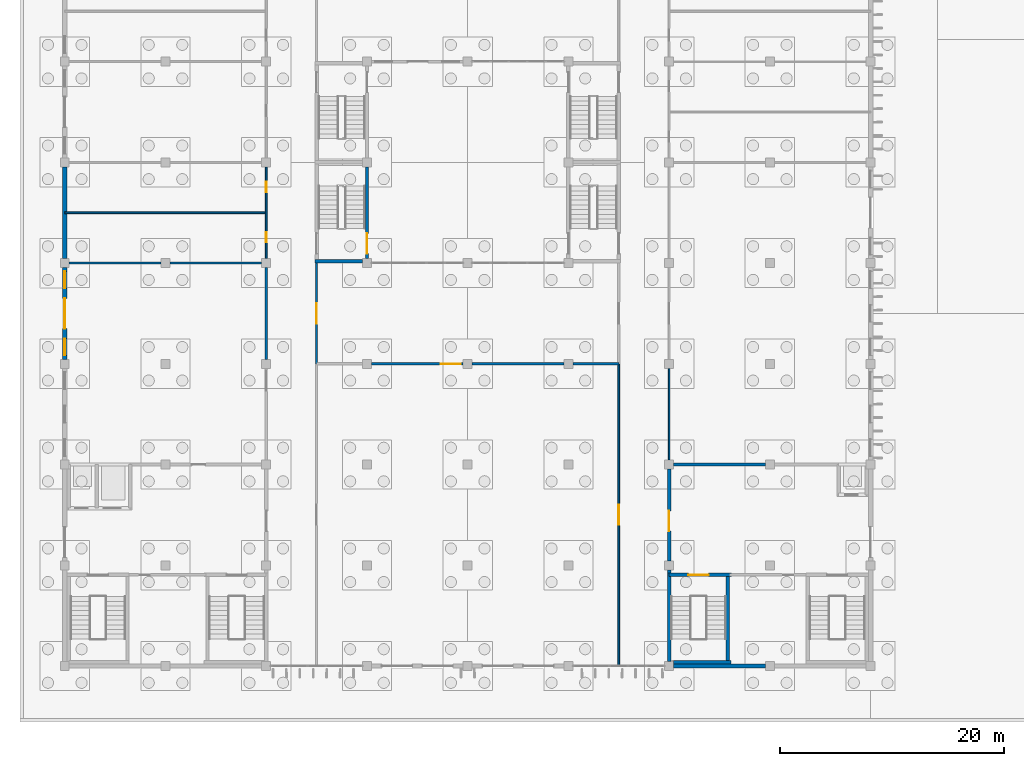
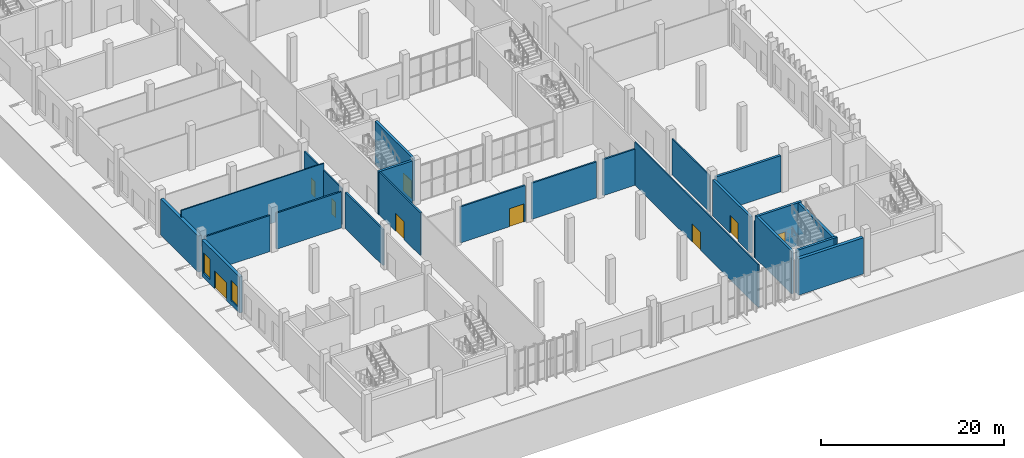
# One storey, part 78 of 198: 23 walls, 9 doors, 2 windows, 11 openings.
"""IFC4 building model written with IfcOpenShell, lengths in metres."""

from ifc_helpers import new_model, si_unit, direction, frame, frame_2d, origin, place, context, subcontext, project, spatial, rectangle, extrude, material, layer, layer_set, type_object, element, fill, save


model = new_model("IFC4")

# Units and contexts
model_context = context("Model", 3, precision=1e-05, world=origin(), true_north=direction((0.0, 1.0)))
body_context = subcontext(model_context, "Body", "Model", "MODEL_VIEW")
ifc_project = project(units=[si_unit("LENGTHUNIT", "METRE"), si_unit("AREAUNIT", "SQUARE_METRE"), si_unit("VOLUMEUNIT", "CUBIC_METRE"), si_unit("PLANEANGLEUNIT", "RADIAN"), si_unit("MASSUNIT", "GRAM", prefix="KILO")], contexts=[model_context])

# Site, building, storey
site_placement = place(None, origin())
site = spatial("IfcSite", under=ifc_project, at=site_placement, CompositionType="ELEMENT")
building_placement = place(site_placement, origin())
building = spatial("IfcBuilding", under=site, at=building_placement, Name="Opaline Strait Convention Centre", CompositionType="ELEMENT")
storey_placement = place(building_placement, origin())
storey = spatial("IfcBuildingStorey", under=building, at=storey_placement, Name="L00", CompositionType="ELEMENT", Elevation=0.0)

# Wall, opening, door
ifc_material_1 = material(Name="Gypsum board on metal studs with mineral wool")
ifc_layer_1 = layer(ifc_material_1, 0.199951171875)
ifc_layer_set_1 = layer_set([ifc_layer_1], Name="Gypsum board on metal studs with mineral wool")
wall_type_1 = type_object("IfcWallType", Name="Fire partition 200", PredefinedType="PARTITIONING", material=ifc_layer_set_1)
wall_1_placement = place(storey_placement, frame((36.39990234375, 36.0, 0.0), z_axis=(0.0, 0.0, 1.0), x_axis=(1.0, 0.0, 0.0)))
wall_1 = element("IfcWall", 1, at=wall_1_placement, inside=storey, type_object=wall_type_1, Name="L00 partition", PredefinedType="PARTITIONING", context=body_context, shape_type="SweptSolid", body=[
    extrude(rectangle(XDim=8.2001953125, YDim=0.199951171875, at=frame_2d((4.10009765625, 0.0))), origin(), (0.0, 0.0, 1.0), 4.820068359375),
])
opening_1_placement = place(wall_1_placement, frame((6.199951171875, 0.0, 0.0)))
opening_1 = element("IfcOpeningElement", 2, at=opening_1_placement, cuts=wall_1, Name="Opening R0-035", PredefinedType="OPENING", context=body_context, shape_type="SweptSolid", body=[
    extrude(rectangle(XDim=1.800048828125, YDim=2.39990234375, at=frame_2d((0.89990234375, 1.199951171875))), frame((0.0, 0.10986328125, 0.0), z_axis=(0.0, -1.0, 0.0), x_axis=(1.0, 0.0, 0.0)), (0.0, 0.0, 1.0), 0.219970703125),
])
ifc_material_2 = material(Name="Stainless steel 304 door leaves", Category="steel")
door_type_1 = type_object("IfcDoorType", Name="Kitchen door 1800x2400 double FD90", OperationType="DOUBLE_DOOR_SINGLE_SWING", PredefinedType="DOOR", material=ifc_material_2)
door_1_placement = place(opening_1_placement, origin())
door_1 = element("IfcDoor", 3, at=door_1_placement, inside=storey, type_object=door_type_1, Name="Open Kitchen to Restaurant Hall door R0-035", ObjectType="RD4", OperationType="DOUBLE_DOOR_SINGLE_SWING", OverallHeight=2.39990234375, OverallWidth=1.800048828125, PredefinedType="DOOR", context=body_context, shape_type="SweptSolid", body=[
    extrude(rectangle(XDim=1.800048828125, YDim=2.39990234375, at=frame_2d((0.89990234375, 1.199951171875))), frame((0.0, 0.02490234375, 0.0), z_axis=(0.0, -1.0, 0.0), x_axis=(1.0, 0.0, 0.0)), (0.0, 0.0, 1.0), 0.050048828125),
])
fill(opening_1, door_1)

# Walls
wall_2_placement = place(storey_placement, frame((45.39990234375, 36.0, 0.0), z_axis=(0.0, 0.0, 1.0), x_axis=(1.0, 0.0, 0.0)))
element("IfcWall", 4, at=wall_2_placement, inside=storey, type_object=wall_type_1, Name="L00 partition", PredefinedType="PARTITIONING", context=body_context, shape_type="SweptSolid", body=[
    extrude(rectangle(XDim=8.2001953125, YDim=0.199951171875, at=frame_2d((4.10009765625, 0.0))), origin(), (0.0, 0.0, 1.0), 4.820068359375),
])
wall_3_placement = place(storey_placement, frame((54.39990234375, 36.0, 0.0), z_axis=(0.0, 0.0, 1.0), x_axis=(1.0, 0.0, 0.0)))
element("IfcWall", 5, at=wall_3_placement, inside=storey, type_object=wall_type_1, Name="L00 partition", PredefinedType="PARTITIONING", context=body_context, shape_type="SweptSolid", body=[
    extrude(rectangle(XDim=4.10009765625, YDim=0.199951171875, at=frame_2d((2.050048828125, 0.0))), origin(), (0.0, 0.0, 1.0), 4.820068359375),
])
for number, where, z_axis, x_axis, name in (
    (6, (9.39990234375, 45.0, 0.0), (0.0, 0.0, 1.0), (1.0, 0.0, 0.0), "L00 partition"),
    (7, (18.39990234375, 45.0, 0.0), (0.0, 0.0, 1.0), (1.0, 0.0, 0.0), "L00 partition"),
    (8, (27.0, 36.39990234375, 0.0), (0.0, 0.0, 1.0), (0.0, 1.0, 0.0), "L00 partition"),
):
    element("IfcWall", number, at=place(storey_placement, frame(where, z_axis=z_axis, x_axis=x_axis)), inside=storey, type_object=wall_type_1, Name=name, PredefinedType="PARTITIONING", context=body_context, shape_type="SweptSolid", body=[
        extrude(rectangle(XDim=8.2001953125, YDim=0.199951171875, at=frame_2d((4.10009765625, 0.0))), origin(), (0.0, 0.0, 1.0), 4.820068359375),
    ])

# Wall, opening, door
wall_4_placement = place(storey_placement, frame((31.5, 36.0, 0.0), z_axis=(0.0, 0.0, 1.0), x_axis=(0.0, 1.0, 0.0)))
wall_4 = element("IfcWall", 9, at=wall_4_placement, inside=storey, type_object=wall_type_1, Name="L00 partition", PredefinedType="PARTITIONING", context=body_context, shape_type="SweptSolid", body=[
    extrude(rectangle(XDim=9.0, YDim=0.199951171875, at=frame_2d((4.5, 0.0))), origin(), (0.0, 0.0, 1.0), 5.719970703125),
])
opening_2_placement = place(wall_4_placement, frame((3.60009765625, 0.0, 0.0)))
opening_2 = element("IfcOpeningElement", 10, at=opening_2_placement, cuts=wall_4, Name="Opening R0-033", PredefinedType="OPENING", context=body_context, shape_type="SweptSolid", body=[
    extrude(rectangle(XDim=1.800048828125, YDim=2.39990234375, at=frame_2d((0.89990234375, 1.199951171875))), frame((0.0, 0.10986328125, 0.0), z_axis=(0.0, -1.0, 0.0), x_axis=(1.0, 0.0, 0.0)), (0.0, 0.0, 1.0), 0.219970703125),
])
door_2_placement = place(opening_2_placement, origin())
door_2 = element("IfcDoor", 11, at=door_2_placement, inside=storey, type_object=door_type_1, Name="Open Kitchen door R0-033", ObjectType="RD4", OperationType="DOUBLE_DOOR_SINGLE_SWING", OverallHeight=2.39990234375, OverallWidth=1.800048828125, PredefinedType="DOOR", context=body_context, shape_type="SweptSolid", body=[
    extrude(rectangle(XDim=1.800048828125, YDim=2.39990234375, at=frame_2d((0.89990234375, 1.199951171875))), frame((0.0, 0.02490234375, 0.0), z_axis=(0.0, -1.0, 0.0), x_axis=(1.0, 0.0, 0.0)), (0.0, 0.0, 1.0), 0.050048828125),
])
fill(opening_2, door_2)

# Wall
ifc_layer_2 = layer(ifc_material_1, 0.14990234375)
ifc_layer_set_2 = layer_set([ifc_layer_2], Name="Gypsum board on metal studs with mineral wool")
wall_type_2 = type_object("IfcWallType", Name="Partition 150", PredefinedType="PARTITIONING", material=ifc_layer_set_2)
wall_5_placement = place(storey_placement, frame((9.0, 49.5, 0.0), z_axis=(0.0, 0.0, 1.0), x_axis=(1.0, 0.0, 0.0)))
element("IfcWall", 12, at=wall_5_placement, inside=storey, type_object=wall_type_2, Name="L00 partition", PredefinedType="PARTITIONING", context=body_context, shape_type="SweptSolid", body=[
    extrude(rectangle(XDim=18.0, YDim=0.14990234375, at=frame_2d((9.0, 0.0))), origin(), (0.0, 0.0, 1.0), 5.719970703125),
])

# Wall, openings, doors
wall_6_placement = place(storey_placement, frame((27.0, 45.39990234375, 0.0), z_axis=(0.0, 0.0, 1.0), x_axis=(0.0, 1.0, 0.0)))
wall_6 = element("IfcWall", 13, at=wall_6_placement, inside=storey, type_object=wall_type_2, Name="L00 partition", PredefinedType="PARTITIONING", context=body_context, shape_type="SweptSolid", body=[
    extrude(rectangle(XDim=8.2001953125, YDim=0.14990234375, at=frame_2d((4.10009765625, 0.0))), origin(), (0.0, 0.0, 1.0), 4.820068359375),
])
opening_3_placement = place(wall_6_placement, frame((1.449951171875, 0.0, 0.0)))
opening_3 = element("IfcOpeningElement", 14, at=opening_3_placement, cuts=wall_6, Name="Opening R0-042", PredefinedType="OPENING", context=body_context, shape_type="SweptSolid", body=[
    extrude(rectangle(XDim=0.89990234375, YDim=2.10009765625, at=frame_2d((0.449951171875, 1.050048828125))), frame((0.0, 0.0849609375, 0.0), z_axis=(0.0, -1.0, 0.0), x_axis=(1.0, 0.0, 0.0)), (0.0, 0.0, 1.0), 0.169921875),
])
opening_4_placement = place(wall_6_placement, frame((5.949951171875, 0.0, 0.0)))
opening_4 = element("IfcOpeningElement", 15, at=opening_4_placement, cuts=wall_6, Name="Opening R0-043", PredefinedType="OPENING", context=body_context, shape_type="SweptSolid", body=[
    extrude(rectangle(XDim=0.89990234375, YDim=2.10009765625, at=frame_2d((0.449951171875, 1.050048828125))), frame((0.0, 0.0849609375, 0.0), z_axis=(0.0, -1.0, 0.0), x_axis=(1.0, 0.0, 0.0)), (0.0, 0.0, 1.0), 0.169921875),
])
ifc_material_3 = material(Name="Timber door leaf in steel frame", Category="steel")
door_type_2 = type_object("IfcDoorType", Name="Store door 900x2100 FD30", OperationType="SINGLE_SWING_LEFT", PredefinedType="DOOR", material=ifc_material_3)
door_3_placement = place(opening_3_placement, origin())
door_3 = element("IfcDoor", 16, at=door_3_placement, inside=storey, type_object=door_type_2, Name="Cold Store door R0-042", ObjectType="RD5", OperationType="SINGLE_SWING_LEFT", OverallHeight=2.10009765625, OverallWidth=0.89990234375, PredefinedType="DOOR", context=body_context, shape_type="SweptSolid", body=[
    extrude(rectangle(XDim=0.89990234375, YDim=2.10009765625, at=frame_2d((0.449951171875, 1.050048828125))), frame((0.0, 0.02490234375, 0.0), z_axis=(0.0, -1.0, 0.0), x_axis=(1.0, 0.0, 0.0)), (0.0, 0.0, 1.0), 0.050048828125),
])
fill(opening_3, door_3)
door_4_placement = place(opening_4_placement, origin())
door_4 = element("IfcDoor", 17, at=door_4_placement, inside=storey, type_object=door_type_2, Name="Dry Store door R0-043", ObjectType="RD5", OperationType="SINGLE_SWING_LEFT", OverallHeight=2.10009765625, OverallWidth=0.89990234375, PredefinedType="DOOR", context=body_context, shape_type="SweptSolid", body=[
    extrude(rectangle(XDim=0.89990234375, YDim=2.10009765625, at=frame_2d((0.449951171875, 1.050048828125))), frame((0.0, 0.02490234375, 0.0), z_axis=(0.0, -1.0, 0.0), x_axis=(1.0, 0.0, 0.0)), (0.0, 0.0, 1.0), 0.050048828125),
])
fill(opening_4, door_4)

# Wall, opening, door
wall_7_placement = place(storey_placement, frame((58.5, 9.0, 0.0), z_axis=(0.0, 0.0, 1.0), x_axis=(0.0, 1.0, 0.0)))
wall_7 = element("IfcWall", 18, at=wall_7_placement, inside=storey, type_object=wall_type_2, Name="L00 partition", PredefinedType="PARTITIONING", context=body_context, shape_type="SweptSolid", body=[
    extrude(rectangle(XDim=27.0, YDim=0.14990234375, at=frame_2d((13.5, 0.0))), origin(), (0.0, 0.0, 1.0), 5.719970703125),
])
opening_5_placement = place(wall_7_placement, frame((12.60009765625, 0.0, 0.0)))
opening_5 = element("IfcOpeningElement", 19, at=opening_5_placement, cuts=wall_7, Name="Opening R0-032", PredefinedType="OPENING", context=body_context, shape_type="SweptSolid", body=[
    extrude(rectangle(XDim=1.800048828125, YDim=2.39990234375, at=frame_2d((0.89990234375, 1.199951171875))), frame((0.0, 0.0849609375, 0.0), z_axis=(0.0, -1.0, 0.0), x_axis=(1.0, 0.0, 0.0)), (0.0, 0.0, 1.0), 0.169921875),
])
ifc_material_4 = material(Name="Timber door leaves in steel frame", Category="steel")
door_type_3 = type_object("IfcDoorType", Name="Door 1800x2400 double FD30", OperationType="DOUBLE_DOOR_SINGLE_SWING", PredefinedType="DOOR", material=ifc_material_4)
door_5_placement = place(opening_5_placement, frame((1.800048828125, 0.0, 0.0), z_axis=(0.0, 0.0, 1.0), x_axis=(-1.0, 0.0, 0.0)))
door_5 = element("IfcDoor", 20, at=door_5_placement, inside=storey, type_object=door_type_3, Name="Restaurant Hall door R0-032", ObjectType="RD2", OperationType="DOUBLE_DOOR_SINGLE_SWING", OverallHeight=2.39990234375, OverallWidth=1.800048828125, PredefinedType="DOOR", context=body_context, shape_type="SweptSolid", body=[
    extrude(rectangle(XDim=1.800048828125, YDim=2.39990234375, at=frame_2d((0.89990234375, 1.199951171875))), frame((0.0, 0.02490234375, 0.0), z_axis=(0.0, -1.0, 0.0), x_axis=(1.0, 0.0, 0.0)), (0.0, 0.0, 1.0), 0.050048828125),
])
fill(opening_5, door_5)

# Walls
wall_8_placement = place(storey_placement, frame((63.0, 27.39990234375, 0.0), z_axis=(0.0, 0.0, 1.0), x_axis=(0.0, 1.0, 0.0)))
element("IfcWall", 21, at=wall_8_placement, inside=storey, type_object=wall_type_2, Name="L00 partition", PredefinedType="PARTITIONING", context=body_context, shape_type="SweptSolid", body=[
    extrude(rectangle(XDim=8.2001953125, YDim=0.14990234375, at=frame_2d((4.10009765625, 0.0))), origin(), (0.0, 0.0, 1.0), 4.820068359375),
])
ifc_material_5 = material(Name="Concrete C40", Category="concrete")
ifc_layer_3 = layer(ifc_material_5, 0.300048828125)
ifc_layer_set_3 = layer_set([ifc_layer_3], Name="Concrete C40")
wall_type_3 = type_object("IfcWallType", Name="RC wall 300 C40", PredefinedType="SOLIDWALL", material=ifc_layer_set_3)
wall_9_placement = place(storey_placement, frame((68.550048828125, 9.35009765625, 0.0), z_axis=(0.0, 0.0, 1.0), x_axis=(-1.0, 0.0, 0.0)))
element("IfcWall", 22, at=wall_9_placement, inside=storey, type_object=wall_type_3, Name="SE core STB-S wall", PredefinedType="SOLIDWALL", context=body_context, shape_type="SweptSolid", body=[
    extrude(rectangle(XDim=5.150146484375, YDim=0.300048828125, at=frame_2d((2.5751953125, 0.0))), origin(), (0.0, 0.0, 1.0), 5.719970703125),
])

# Wall, opening, door
wall_10_placement = place(storey_placement, frame((68.550048828125, 17.14990234375, 0.0), z_axis=(0.0, 0.0, 1.0), x_axis=(-1.0, 0.0, 0.0)))
wall_10 = element("IfcWall", 23, at=wall_10_placement, inside=storey, type_object=wall_type_3, Name="SE core STB-N wall", PredefinedType="SOLIDWALL", context=body_context, shape_type="SweptSolid", body=[
    extrude(rectangle(XDim=5.550048828125, YDim=0.300048828125, at=frame_2d((2.77490234375, 0.0))), origin(), (0.0, 0.0, 1.0), 5.719970703125),
])
opening_6_placement = place(wall_10_placement, frame((2.02490234375, 0.0, 0.0)))
opening_6 = element("IfcOpeningElement", 24, at=opening_6_placement, cuts=wall_10, Name="Opening R0-008", PredefinedType="OPENING", context=body_context, shape_type="SweptSolid", body=[
    extrude(rectangle(XDim=1.800048828125, YDim=2.39990234375, at=frame_2d((0.89990234375, 1.199951171875))), frame((0.0, 0.159912109375, 0.0), z_axis=(0.0, -1.0, 0.0), x_axis=(1.0, 0.0, 0.0)), (0.0, 0.0, 1.0), 0.320068359375),
])
door_type_4 = type_object("IfcDoorType", Name="Stair door 1800x2400 double FD60", OperationType="DOUBLE_DOOR_SINGLE_SWING", PredefinedType="DOOR", material=ifc_material_4)
door_6_placement = place(opening_6_placement, frame((1.800048828125, 0.0, 0.0), z_axis=(0.0, 0.0, 1.0), x_axis=(-1.0, 0.0, 0.0)))
door_6 = element("IfcDoor", 25, at=door_6_placement, inside=storey, type_object=door_type_4, Name="Stair door SEB R0-008", ObjectType="RD7", OperationType="DOUBLE_DOOR_SINGLE_SWING", OverallHeight=2.39990234375, OverallWidth=1.800048828125, PredefinedType="DOOR", context=body_context, shape_type="SweptSolid", body=[
    extrude(rectangle(XDim=1.800048828125, YDim=2.39990234375, at=frame_2d((0.89990234375, 1.199951171875))), frame((0.0, 0.02490234375, 0.0), z_axis=(0.0, -1.0, 0.0), x_axis=(1.0, 0.0, 0.0)), (0.0, 0.0, 1.0), 0.050048828125),
])
fill(opening_6, door_6)

# Walls
wall_11_placement = place(storey_placement, frame((68.25, 9.199951171875, 0.0), z_axis=(0.0, 0.0, 1.0), x_axis=(0.0, 1.0, 0.0)))
element("IfcWall", 26, at=wall_11_placement, inside=storey, type_object=wall_type_3, Name="SE core STB-W wall", PredefinedType="SOLIDWALL", context=body_context, shape_type="SweptSolid", body=[
    extrude(rectangle(XDim=8.10009765625, YDim=0.300048828125, at=frame_2d((4.050048828125, 0.0))), origin(), (0.0, 0.0, 1.0), 5.719970703125),
])
wall_12_placement = place(storey_placement, frame((63.0, 9.39990234375, 0.0), z_axis=(0.0, 0.0, 1.0), x_axis=(0.0, 1.0, 0.0)))
element("IfcWall", 27, at=wall_12_placement, inside=storey, type_object=wall_type_3, Name="SE core STB-E wall", PredefinedType="SOLIDWALL", context=body_context, shape_type="SweptSolid", body=[
    extrude(rectangle(XDim=7.900146484375, YDim=0.300048828125, at=frame_2d((3.9501953125, 0.0))), origin(), (0.0, 0.0, 1.0), 5.719970703125),
])
wall_13_placement = place(storey_placement, frame((71.60009765625, 27.0, 0.0), z_axis=(0.0, 0.0, 1.0), x_axis=(-1.0, 0.0, 0.0)))
element("IfcWall", 28, at=wall_13_placement, inside=storey, type_object=wall_type_3, Name="SE core BND-N wall", PredefinedType="SOLIDWALL", context=body_context, shape_type="SweptSolid", body=[
    extrude(rectangle(XDim=8.2001953125, YDim=0.300048828125, at=frame_2d((4.10009765625, 0.0))), origin(), (0.0, 0.0, 1.0), 4.820068359375),
])
wall_14_placement = place(storey_placement, frame((63.0, 17.300048828125, 0.0), z_axis=(0.0, 0.0, 1.0), x_axis=(0.0, 1.0, 0.0)))
element("IfcWall", 29, at=wall_14_placement, inside=storey, type_object=wall_type_3, Name="SE core BND-E wall", PredefinedType="SOLIDWALL", context=body_context, shape_type="SweptSolid", body=[
    extrude(rectangle(XDim=0.300048828125, YDim=0.300048828125, at=frame_2d((0.14990234375, 0.0))), origin(), (0.0, 0.0, 1.0), 4.820068359375),
])

# Wall, opening, door
wall_15_placement = place(storey_placement, frame((63.0, 18.39990234375, 0.0), z_axis=(0.0, 0.0, 1.0), x_axis=(0.0, 1.0, 0.0)))
wall_15 = element("IfcWall", 30, at=wall_15_placement, inside=storey, type_object=wall_type_3, Name="SE core BND-E wall", PredefinedType="SOLIDWALL", context=body_context, shape_type="SweptSolid", body=[
    extrude(rectangle(XDim=8.2001953125, YDim=0.300048828125, at=frame_2d((4.10009765625, 0.0))), origin(), (0.0, 0.0, 1.0), 4.820068359375),
])
opening_7_placement = place(wall_15_placement, frame((2.64990234375, 0.0, 0.0)))
opening_7 = element("IfcOpeningElement", 31, at=opening_7_placement, cuts=wall_15, Name="Opening R0-010", PredefinedType="OPENING", context=body_context, shape_type="SweptSolid", body=[
    extrude(rectangle(XDim=1.800048828125, YDim=2.39990234375, at=frame_2d((0.89990234375, 1.199951171875))), frame((0.0, 0.159912109375, 0.0), z_axis=(0.0, -1.0, 0.0), x_axis=(1.0, 0.0, 0.0)), (0.0, 0.0, 1.0), 0.320068359375),
])
door_type_5 = type_object("IfcDoorType", Name="Door 1800x2400 double FD60", OperationType="DOUBLE_DOOR_SINGLE_SWING", PredefinedType="DOOR", material=ifc_material_4)
door_7_placement = place(opening_7_placement, origin())
door_7 = element("IfcDoor", 32, at=door_7_placement, inside=storey, type_object=door_type_5, Name="Core lobby door SE R0-010", ObjectType="RD9", OperationType="DOUBLE_DOOR_SINGLE_SWING", OverallHeight=2.39990234375, OverallWidth=1.800048828125, PredefinedType="DOOR", context=body_context, shape_type="SweptSolid", body=[
    extrude(rectangle(XDim=1.800048828125, YDim=2.39990234375, at=frame_2d((0.89990234375, 1.199951171875))), frame((0.0, 0.02490234375, 0.0), z_axis=(0.0, -1.0, 0.0), x_axis=(1.0, 0.0, 0.0)), (0.0, 0.0, 1.0), 0.050048828125),
])
fill(opening_7, door_7)

wall_16_placement = place(storey_placement, frame((36.0, 45.39990234375, 0.0), z_axis=(0.0, 0.0, 1.0), x_axis=(0.0, 1.0, 0.0)))
wall_16 = element("IfcWall", 33, at=wall_16_placement, inside=storey, type_object=wall_type_3, Name="MW core COURT wall", PredefinedType="SOLIDWALL", context=body_context, shape_type="SweptSolid", body=[
    extrude(rectangle(XDim=8.2001953125, YDim=0.300048828125, at=frame_2d((4.10009765625, 0.0))), origin(), (0.0, 0.0, 1.0), 5.719970703125),
])
opening_8_placement = place(wall_16_placement, frame((0.449951171875, 0.0, 0.0)))
opening_8 = element("IfcOpeningElement", 34, at=opening_8_placement, cuts=wall_16, Name="Opening R0-028", PredefinedType="OPENING", context=body_context, shape_type="SweptSolid", body=[
    extrude(rectangle(XDim=1.800048828125, YDim=2.39990234375, at=frame_2d((0.89990234375, 1.199951171875))), frame((0.0, 0.159912109375, 0.0), z_axis=(0.0, -1.0, 0.0), x_axis=(1.0, 0.0, 0.0)), (0.0, 0.0, 1.0), 0.320068359375),
])
door_8_placement = place(opening_8_placement, frame((1.800048828125, 0.0, 0.0), z_axis=(0.0, 0.0, 1.0), x_axis=(-1.0, 0.0, 0.0)))
door_8 = element("IfcDoor", 35, at=door_8_placement, inside=storey, type_object=door_type_4, Name="Stair exit door MW R0-028", ObjectType="RD7", OperationType="DOUBLE_DOOR_SINGLE_SWING", OverallHeight=2.39990234375, OverallWidth=1.800048828125, PredefinedType="DOOR", context=body_context, shape_type="SweptSolid", body=[
    extrude(rectangle(XDim=1.800048828125, YDim=2.39990234375, at=frame_2d((0.89990234375, 1.199951171875))), frame((0.0, 0.02490234375, 0.0), z_axis=(0.0, -1.0, 0.0), x_axis=(1.0, 0.0, 0.0)), (0.0, 0.0, 1.0), 0.050048828125),
])
fill(opening_8, door_8)

# Walls
wall_17_placement = place(storey_placement, frame((31.35009765625, 45.14990234375, 0.0), z_axis=(0.0, 0.0, 1.0), x_axis=(1.0, 0.0, 0.0)))
element("IfcWall", 36, at=wall_17_placement, inside=storey, type_object=wall_type_3, Name="MW core S wall", PredefinedType="SOLIDWALL", context=body_context, shape_type="SweptSolid", body=[
    extrude(rectangle(XDim=4.25, YDim=0.300048828125, at=frame_2d((2.125, 0.0))), origin(), (0.0, 0.0, 1.0), 5.719970703125),
])
ifc_layer_4 = layer(ifc_material_5, 0.320068359375)
ifc_material_6 = material(Name="Mineral wool insulation")
ifc_layer_5 = layer(ifc_material_6, 0.050048828125)
ifc_material_7 = material(Name="Gypsum board lining")
ifc_layer_6 = layer(ifc_material_7, 0.030029296875)
ifc_layer_set_4 = layer_set([ifc_layer_4, ifc_layer_5, ifc_layer_6], Name="Concrete C40, Mineral wool insulation, Gypsum board lining")
wall_type_4 = type_object("IfcWallType", Name="RC wall 400 C40", PredefinedType="SOLIDWALL", material=ifc_layer_set_4)
wall_18_placement = place(storey_placement, frame((63.39990234375, 9.0, 0.0), z_axis=(0.0, 0.0, 1.0), x_axis=(1.0, 0.0, 0.0)))
element("IfcWall", 37, at=wall_18_placement, inside=storey, type_object=wall_type_4, Name="L00 S external wall 7", PredefinedType="SOLIDWALL", context=body_context, shape_type="SweptSolid", body=[
    extrude(rectangle(XDim=8.2001953125, YDim=0.39990234375, at=frame_2d((4.10009765625, 0.0))), origin(), (0.0, 0.0, 1.0), 4.820068359375),
])

# Wall, openings, door, windows
wall_19_placement = place(storey_placement, frame((9.0, 36.39990234375, 0.0), z_axis=(0.0, 0.0, 1.0), x_axis=(0.0, 1.0, 0.0)))
wall_19 = element("IfcWall", 38, at=wall_19_placement, inside=storey, type_object=wall_type_4, Name="L00 W external wall 4", PredefinedType="SOLIDWALL", context=body_context, shape_type="SweptSolid", body=[
    extrude(rectangle(XDim=8.2001953125, YDim=0.39990234375, at=frame_2d((4.10009765625, 0.0))), origin(), (0.0, 0.0, 1.0), 4.820068359375),
])
opening_9_placement = place(wall_19_placement, frame((0.35009765625, 0.0, 0.60009765625)))
opening_9 = element("IfcOpeningElement", 39, at=opening_9_placement, cuts=wall_19, Name="Opening RWN3", PredefinedType="OPENING", context=body_context, shape_type="SweptSolid", body=[
    extrude(rectangle(XDim=1.5, YDim=2.699951171875, at=frame_2d((0.75, 1.35009765625))), frame((0.0, 0.2099609375, 0.0), z_axis=(0.0, -1.0, 0.0), x_axis=(1.0, 0.0, 0.0)), (0.0, 0.0, 1.0), 0.419921875),
])
opening_10_placement = place(wall_19_placement, frame((6.35009765625, 0.0, 0.60009765625)))
opening_10 = element("IfcOpeningElement", 40, at=opening_10_placement, cuts=wall_19, Name="Opening RWN3", PredefinedType="OPENING", context=body_context, shape_type="SweptSolid", body=[
    extrude(rectangle(XDim=1.5, YDim=2.699951171875, at=frame_2d((0.75, 1.35009765625))), frame((0.0, 0.2099609375, 0.0), z_axis=(0.0, -1.0, 0.0), x_axis=(1.0, 0.0, 0.0)), (0.0, 0.0, 1.0), 0.419921875),
])
opening_11_placement = place(wall_19_placement, frame((2.75, 0.0, 0.0)))
opening_11 = element("IfcOpeningElement", 41, at=opening_11_placement, cuts=wall_19, Name="Opening R0-062", PredefinedType="OPENING", context=body_context, shape_type="SweptSolid", body=[
    extrude(rectangle(XDim=2.699951171875, YDim=2.39990234375, at=frame_2d((1.35009765625, 1.199951171875))), frame((0.0, 0.2099609375, 0.0), z_axis=(0.0, -1.0, 0.0), x_axis=(1.0, 0.0, 0.0)), (0.0, 0.0, 1.0), 0.419921875),
])
ifc_material_8 = material(Name="Aluminium framed double glazing", Category="aluminium")
door_type_6 = type_object("IfcDoorType", Name="Exit door 2700x2400 glazed pair", OperationType="DOUBLE_DOOR_SINGLE_SWING", PredefinedType="DOOR", material=ifc_material_8)
door_9_placement = place(opening_11_placement, frame((2.699951171875, 0.0, 0.0), z_axis=(0.0, 0.0, 1.0), x_axis=(-1.0, 0.0, 0.0)))
door_9 = element("IfcDoor", 42, at=door_9_placement, inside=storey, type_object=door_type_6, Name="Service exit door R0-062", ObjectType="RD10", OperationType="DOUBLE_DOOR_SINGLE_SWING", OverallHeight=2.39990234375, OverallWidth=2.699951171875, PredefinedType="DOOR", context=body_context, shape_type="SweptSolid", body=[
    extrude(rectangle(XDim=2.699951171875, YDim=2.39990234375, at=frame_2d((1.35009765625, 1.199951171875))), frame((0.0, 0.02490234375, 0.0), z_axis=(0.0, -1.0, 0.0), x_axis=(1.0, 0.0, 0.0)), (0.0, 0.0, 1.0), 0.050048828125),
])
fill(opening_11, door_9)
window_type = type_object("IfcWindowType", Name="Window 1500x2700 sill 600", PartitioningType="SINGLE_PANEL", PredefinedType="WINDOW", material=ifc_material_8)
window_1_placement = place(opening_9_placement, origin())
window_1 = element("IfcWindow", 43, at=window_1_placement, inside=storey, type_object=window_type, Name="Window L00-W4-W1", OverallHeight=2.699951171875, OverallWidth=1.5, PartitioningType="SINGLE_PANEL", PredefinedType="WINDOW", context=body_context, shape_type="SweptSolid", body=[
    extrude(rectangle(XDim=1.5, YDim=2.699951171875, at=frame_2d((0.75, 1.35009765625))), frame((0.0, 0.030029296875, 0.0), z_axis=(0.0, -1.0, 0.0), x_axis=(1.0, 0.0, 0.0)), (0.0, 0.0, 1.0), 0.06005859375),
])
fill(opening_9, window_1)
window_2_placement = place(opening_10_placement, origin())
window_2 = element("IfcWindow", 44, at=window_2_placement, inside=storey, type_object=window_type, Name="Window L00-W4-W2", OverallHeight=2.699951171875, OverallWidth=1.5, PartitioningType="SINGLE_PANEL", PredefinedType="WINDOW", context=body_context, shape_type="SweptSolid", body=[
    extrude(rectangle(XDim=1.5, YDim=2.699951171875, at=frame_2d((0.75, 1.35009765625))), frame((0.0, 0.030029296875, 0.0), z_axis=(0.0, -1.0, 0.0), x_axis=(1.0, 0.0, 0.0)), (0.0, 0.0, 1.0), 0.06005859375),
])
fill(opening_10, window_2)

# Wall
wall_20_placement = place(storey_placement, frame((9.0, 45.39990234375, 0.0), z_axis=(0.0, 0.0, 1.0), x_axis=(0.0, 1.0, 0.0)))
element("IfcWall", 45, at=wall_20_placement, inside=storey, type_object=wall_type_4, Name="L00 W external wall 5", PredefinedType="SOLIDWALL", context=body_context, shape_type="SweptSolid", body=[
    extrude(rectangle(XDim=8.2001953125, YDim=0.39990234375, at=frame_2d((4.10009765625, 0.0))), origin(), (0.0, 0.0, 1.0), 4.820068359375),
])

save(model, "model.ifc")
